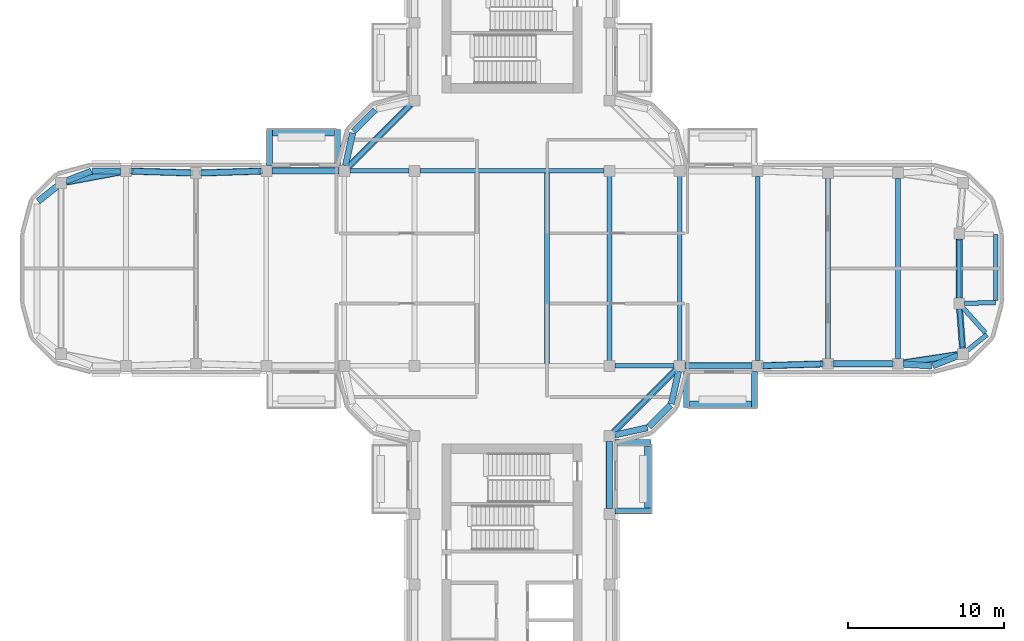
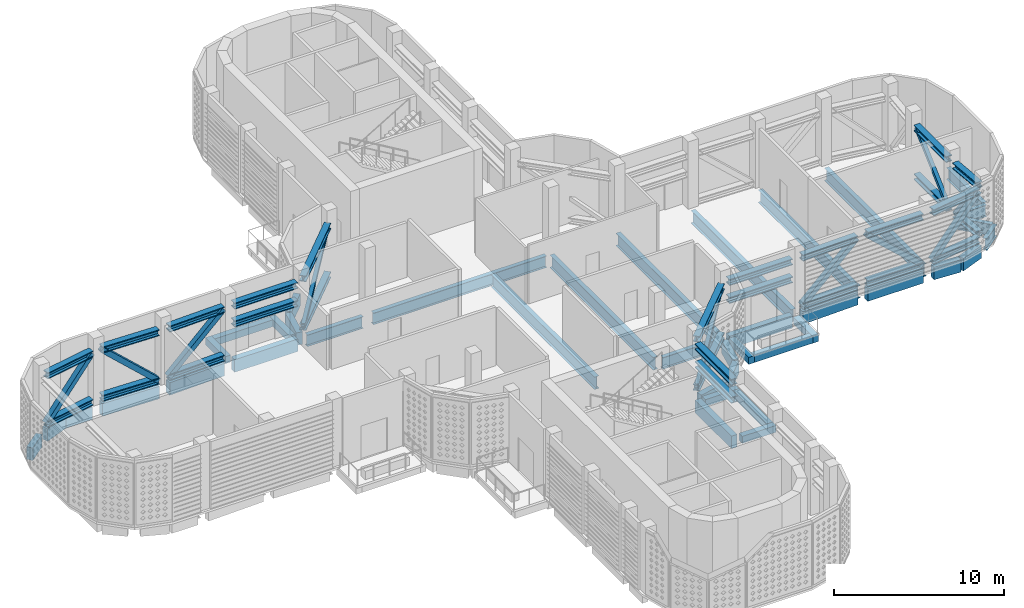
# One storey, part 2 of 20: 39 beams, 36 members.
"""IFC4 building model written with IfcOpenShell, lengths in metres."""

from ifc_helpers import new_model, si_unit, direction, frame, origin, origin_2d, place, context, subcontext, project, spatial, rectangle, hollow_rectangle, i_section, extrude, material, material_profile, profile_set, type_object, element, save


model = new_model("IFC4")

# Units and contexts
model_context = context("Model", 3, precision=1e-05, world=origin(), true_north=direction((0.0, 1.0)))
body_context = subcontext(model_context, "Body", "Model", "MODEL_VIEW")
ifc_project = project(units=[si_unit("LENGTHUNIT", "METRE"), si_unit("AREAUNIT", "SQUARE_METRE"), si_unit("VOLUMEUNIT", "CUBIC_METRE"), si_unit("PLANEANGLEUNIT", "RADIAN"), si_unit("MASSUNIT", "GRAM", prefix="KILO")], contexts=[model_context])

# Site, building, storey
site_placement = place(None, origin())
site = spatial("IfcSite", under=ifc_project, at=site_placement, CompositionType="ELEMENT")
building_placement = place(site_placement, origin())
building = spatial("IfcBuilding", under=site, at=building_placement, Name="Zarbagh Exchange Tower", CompositionType="ELEMENT")
storey_placement = place(building_placement, frame((0.0, 0.0, 244.800048828125)))
storey = spatial("IfcBuildingStorey", under=building, at=storey_placement, Name="L60", CompositionType="ELEMENT", Elevation=244.800048828125)

# Members
ifc_material_1 = material(Name="Steel ASTM A992 Gr 50", Category="steel")
ifc_material_profile_1 = material_profile(ifc_material_1, i_section(OverallWidth=0.408935546875, OverallDepth=0.42431640625, WebThickness=0.03271484375, FlangeThickness=0.052490234375, at=origin_2d()), Name="W14X283")
ifc_profile_set_1 = profile_set([ifc_material_profile_1], Name="Steel ASTM A992 Gr 50")
member_type_1 = type_object("IfcMemberType", Name="Belt truss chord W14X283", PredefinedType="CHORD", material=ifc_profile_set_1)
for number, where, z_axis, x_axis, name in (
    (1, (-10.50244140625, 6.49755859375, 0.212158203125), (0.707106781187, 0.707106781187, 0.0), (-0.707106781187, 0.707106781187, 0.0), "Belt truss chord"),
    (2, (-10.50244140625, 6.49755859375, 3.7177734375), (0.707106781187, 0.707106781187, 0.0), (-0.707106781187, 0.707106781187, 0.0), "Belt truss chord"),
):
    element("IfcMember", number, at=place(storey_placement, frame(where, z_axis=z_axis, x_axis=x_axis)), inside=storey, type_object=member_type_1, Name=name, PredefinedType="CHORD", context=body_context, shape_type="SweptSolid", body=[
        extrude(i_section(OverallWidth=0.408935546875, OverallDepth=0.42431640625, WebThickness=0.03271484375, FlangeThickness=0.052490234375, at=origin_2d()), origin(), (0.0, 0.0, 1.0), 5.663818359375),
    ])
for number, where, z_axis, x_axis, name in (
    (3, (28.669921875, 1.89990234375, 0.212158203125), (0.0, -1.0, 0.0), (1.0, 0.0, 0.0), "Belt truss chord"),
    (4, (28.669921875, 1.89990234375, 3.7177734375), (0.0, -1.0, 0.0), (1.0, 0.0, 0.0), "Belt truss chord"),
):
    element("IfcMember", number, at=place(storey_placement, frame(where, z_axis=z_axis, x_axis=x_axis)), inside=storey, type_object=member_type_1, Name=name, PredefinedType="CHORD", context=body_context, shape_type="SweptSolid", body=[
        extrude(i_section(OverallWidth=0.408935546875, OverallDepth=0.42431640625, WebThickness=0.03271484375, FlangeThickness=0.052490234375, at=origin_2d()), origin(), (0.0, 0.0, 1.0), 3.7998046875),
    ])
for number, where, z_axis, x_axis, name in (
    (5, (28.69580078125, -2.59912109375, 0.212158203125), (0.073520300379, -0.997293720742, 0.0), (0.997293720742, 0.073520300379, 0.0), "Belt truss chord"),
    (6, (28.69580078125, -2.59912109375, 3.7177734375), (0.073520300379, -0.997293720742, 0.0), (0.997293720742, 0.073520300379, 0.0), "Belt truss chord"),
):
    element("IfcMember", number, at=place(storey_placement, frame(where, z_axis=z_axis, x_axis=x_axis)), inside=storey, type_object=member_type_1, Name=name, PredefinedType="CHORD", context=body_context, shape_type="SweptSolid", body=[
        extrude(i_section(OverallWidth=0.408935546875, OverallDepth=0.42431640625, WebThickness=0.03271484375, FlangeThickness=0.052490234375, at=origin_2d()), origin(), (0.0, 0.0, 1.0), 2.53369140625),
    ])
for number, where, z_axis, x_axis, name in (
    (7, (10.50244140625, -6.49755859375, 0.212158203125), (-0.707106781187, -0.707106781187, 0.0), (0.707106781187, -0.707106781187, 0.0), "Belt truss chord"),
    (8, (10.50244140625, -6.49755859375, 3.7177734375), (-0.707106781187, -0.707106781187, 0.0), (0.707106781187, -0.707106781187, 0.0), "Belt truss chord"),
):
    element("IfcMember", number, at=place(storey_placement, frame(where, z_axis=z_axis, x_axis=x_axis)), inside=storey, type_object=member_type_1, Name=name, PredefinedType="CHORD", context=body_context, shape_type="SweptSolid", body=[
        extrude(i_section(OverallWidth=0.408935546875, OverallDepth=0.42431640625, WebThickness=0.03271484375, FlangeThickness=0.052490234375, at=origin_2d()), origin(), (0.0, 0.0, 1.0), 5.663818359375),
    ])
ifc_material_2 = material(Name="Steel ASTM A500 Gr C", Category="steel")
ifc_material_profile_2 = material_profile(ifc_material_2, hollow_rectangle(XDim=0.25390625, YDim=0.25390625, WallThickness=0.01171875, at=origin_2d()), Name="HSS10X10X1/2")
ifc_profile_set_2 = profile_set([ifc_material_profile_2], Name="Steel ASTM A500 Gr C")
member_type_2 = type_object("IfcMemberType", Name="Belt truss diagonal HSS10X10X1/2", PredefinedType="BRACE", material=ifc_profile_set_2)
member_1_placement = place(storey_placement, frame((-10.50244140625, 6.49755859375, 0.212158203125), z_axis=(0.6012530335, 0.6012530335, 0.52629799488), x_axis=(-0.707106781187, 0.707106781187, 0.0)))
element("IfcMember", 9, at=member_1_placement, inside=storey, type_object=member_type_2, Name="Belt truss diagonal", PredefinedType="BRACE", context=body_context, shape_type="SweptSolid", body=[
    extrude(hollow_rectangle(XDim=0.25390625, YDim=0.25390625, WallThickness=0.01171875, at=origin_2d()), origin(), (0.0, 0.0, 1.0), 6.660888671875),
])
member_2_placement = place(storey_placement, frame((28.669921875, -1.89990234375, 0.212158203125), z_axis=(0.0, 0.734986276904, 0.678081980857), x_axis=(-1.0, 0.0, 0.0)))
element("IfcMember", 10, at=member_2_placement, inside=storey, type_object=member_type_2, Name="Belt truss diagonal", PredefinedType="BRACE", context=body_context, shape_type="SweptSolid", body=[
    extrude(hollow_rectangle(XDim=0.25390625, YDim=0.25390625, WallThickness=0.01171875, at=origin_2d()), origin(), (0.0, 0.0, 1.0), 5.169921875),
])
member_3_placement = place(storey_placement, frame((28.69580078125, -2.59912109375, 0.212158203125), z_axis=(0.043066430408, -0.584190766342, 0.810472967527), x_axis=(0.997293720742, 0.073520300379, 0.0)))
element("IfcMember", 11, at=member_3_placement, inside=storey, type_object=member_type_2, Name="Belt truss diagonal", PredefinedType="BRACE", context=body_context, shape_type="SweptSolid", body=[
    extrude(hollow_rectangle(XDim=0.25390625, YDim=0.25390625, WallThickness=0.01171875, at=origin_2d()), origin(), (0.0, 0.0, 1.0), 4.325439453125),
])
member_4_placement = place(storey_placement, frame((6.49755859375, -10.50244140625, 0.212158203125), z_axis=(0.6012530335, 0.6012530335, 0.52629799488), x_axis=(-0.707106781187, 0.707106781187, 0.0)))
element("IfcMember", 12, at=member_4_placement, inside=storey, type_object=member_type_2, Name="Belt truss diagonal", PredefinedType="BRACE", context=body_context, shape_type="SweptSolid", body=[
    extrude(hollow_rectangle(XDim=0.25390625, YDim=0.25390625, WallThickness=0.01171875, at=origin_2d()), origin(), (0.0, 0.0, 1.0), 6.660888671875),
])

# Beams
ifc_material_profile_3 = material_profile(ifc_material_1, i_section(OverallWidth=0.3046875, OverallDepth=0.904296875, WebThickness=0.01513671875, FlangeThickness=0.02001953125, at=origin_2d()), Name="W36X135")
ifc_profile_set_3 = profile_set([ifc_material_profile_3], Name="Steel ASTM A992 Gr 50")
beam_type_1 = type_object("IfcBeamType", Name="Floor beam W36X135", PredefinedType="BEAM", material=ifc_profile_set_3)
for number, where, z_axis, x_axis, name in (
    (13, (2.25, -6.10400390625, -0.60205078125), (0.0, 1.0, 0.0), (-1.0, 0.0, 0.0), "Steel floor beam"),
    (14, (6.25, -6.10400390625, -0.60205078125), (0.0, 1.0, 0.0), (-1.0, 0.0, 0.0), "Steel floor beam"),
    (15, (10.75, -6.10400390625, -0.60205078125), (0.0, 1.0, 0.0), (-1.0, 0.0, 0.0), "Steel floor beam"),
):
    element("IfcBeam", number, at=place(storey_placement, frame(where, z_axis=z_axis, x_axis=x_axis)), inside=storey, type_object=beam_type_1, Name=name, PredefinedType="BEAM", context=body_context, shape_type="SweptSolid", body=[
        extrude(i_section(OverallWidth=0.3046875, OverallDepth=0.904296875, WebThickness=0.01513671875, FlangeThickness=0.02001953125, at=origin_2d()), origin(), (0.0, 0.0, 1.0), 12.2080078125),
    ])
beam_1_placement = place(storey_placement, frame((15.75, -5.89990234375, -0.60205078125), z_axis=(0.0, 1.0, 0.0), x_axis=(-1.0, 0.0, 0.0)))
element("IfcBeam", 16, at=beam_1_placement, inside=storey, type_object=beam_type_1, Name="Steel floor beam", PredefinedType="BEAM", context=body_context, shape_type="SweptSolid", body=[
    extrude(i_section(OverallWidth=0.3046875, OverallDepth=0.904296875, WebThickness=0.01513671875, FlangeThickness=0.02001953125, at=origin_2d()), origin(), (0.0, 0.0, 1.0), 11.7998046875),
])
for number, where, z_axis, x_axis, name in (
    (17, (20.25, -5.760009765625, -0.60205078125), (0.0, 1.0, 0.0), (-1.0, 0.0, 0.0), "Steel floor beam"),
    (18, (24.75, -5.760009765625, -0.60205078125), (0.0, 1.0, 0.0), (-1.0, 0.0, 0.0), "Steel floor beam"),
):
    element("IfcBeam", number, at=place(storey_placement, frame(where, z_axis=z_axis, x_axis=x_axis)), inside=storey, type_object=beam_type_1, Name=name, PredefinedType="BEAM", context=body_context, shape_type="SweptSolid", body=[
        extrude(i_section(OverallWidth=0.3046875, OverallDepth=0.904296875, WebThickness=0.01513671875, FlangeThickness=0.02001953125, at=origin_2d()), origin(), (0.0, 0.0, 1.0), 11.52001953125),
    ])
ifc_material_profile_4 = material_profile(ifc_material_1, i_section(OverallWidth=0.2919921875, OverallDepth=0.835693359375, WebThickness=0.013916015625, FlangeThickness=0.018798828125, at=origin_2d()), Name="W33X118")
ifc_profile_set_4 = profile_set([ifc_material_profile_4], Name="Steel ASTM A992 Gr 50")
beam_type_2 = type_object("IfcBeamType", Name="Floor girder W33X118", PredefinedType="BEAM", material=ifc_profile_set_4)
beam_2_placement = place(storey_placement, frame((31.0, 2.18408203125, -0.56787109375), z_axis=(0.0, -1.0, 0.0), x_axis=(1.0, 0.0, 0.0)))
element("IfcBeam", 19, at=beam_2_placement, inside=storey, type_object=beam_type_2, Name="Steel girder", PredefinedType="BEAM", context=body_context, shape_type="SweptSolid", body=[
    extrude(i_section(OverallWidth=0.2919921875, OverallDepth=0.835693359375, WebThickness=0.013916015625, FlangeThickness=0.018798828125, at=origin_2d()), origin(), (0.0, 0.0, 1.0), 4.226318359375),
])
beam_3_placement = place(storey_placement, frame((31.0, -2.18408203125, -0.56787109375), z_axis=(-0.999601581355, -0.028225494714, 0.0), x_axis=(0.028225494714, -0.999601581355, 0.0)))
element("IfcBeam", 20, at=beam_3_placement, inside=storey, type_object=beam_type_2, Name="Steel girder", PredefinedType="BEAM", context=body_context, shape_type="SweptSolid", body=[
    extrude(i_section(OverallWidth=0.2919921875, OverallDepth=0.835693359375, WebThickness=0.013916015625, FlangeThickness=0.018798828125, at=origin_2d()), origin(), (0.0, 0.0, 1.0), 1.980712890625),
])
beam_4_placement = place(storey_placement, frame((28.9033203125, -2.510986328125, -0.56787109375), z_axis=(0.666194955403, -0.745777635355, 0.0), x_axis=(0.745777635355, 0.666194955403, 0.0)))
element("IfcBeam", 21, at=beam_4_placement, inside=storey, type_object=beam_type_2, Name="Steel girder", PredefinedType="BEAM", context=body_context, shape_type="SweptSolid", body=[
    extrude(i_section(OverallWidth=0.2919921875, OverallDepth=0.835693359375, WebThickness=0.013916015625, FlangeThickness=0.018798828125, at=origin_2d()), origin(), (0.0, 0.0, 1.0), 2.165771484375),
])
beam_5_placement = place(storey_placement, frame((30.44873046875, -4.2412109375, -0.56787109375), z_axis=(-0.780619385558, -0.625006699877, 0.0), x_axis=(0.625006699877, -0.780619385558, 0.0)))
element("IfcBeam", 22, at=beam_5_placement, inside=storey, type_object=beam_type_2, Name="Steel girder", PredefinedType="BEAM", context=body_context, shape_type="SweptSolid", body=[
    extrude(i_section(OverallWidth=0.2919921875, OverallDepth=0.835693359375, WebThickness=0.013916015625, FlangeThickness=0.018798828125, at=origin_2d()), origin(), (0.0, 0.0, 1.0), 1.623779296875),
])
beam_6_placement = place(storey_placement, frame((-10.39990234375, 6.25, -0.56787109375), z_axis=(1.0, 0.0, 0.0), x_axis=(0.0, 1.0, 0.0)))
element("IfcBeam", 23, at=beam_6_placement, inside=storey, type_object=beam_type_2, Name="Steel girder", PredefinedType="BEAM", context=body_context, shape_type="SweptSolid", body=[
    extrude(i_section(OverallWidth=0.2919921875, OverallDepth=0.835693359375, WebThickness=0.013916015625, FlangeThickness=0.018798828125, at=origin_2d()), origin(), (0.0, 0.0, 1.0), 3.7998046875),
])
beam_7_placement = place(storey_placement, frame((-5.89990234375, 6.25, -0.56787109375), z_axis=(1.0, 0.0, 0.0), x_axis=(0.0, 1.0, 0.0)))
element("IfcBeam", 24, at=beam_7_placement, inside=storey, type_object=beam_type_2, Name="Steel girder", PredefinedType="BEAM", context=body_context, shape_type="SweptSolid", body=[
    extrude(i_section(OverallWidth=0.2919921875, OverallDepth=0.835693359375, WebThickness=0.013916015625, FlangeThickness=0.018798828125, at=origin_2d()), origin(), (0.0, 0.0, 1.0), 11.7998046875),
])
beam_8_placement = place(storey_placement, frame((6.60009765625, -6.25, -0.56787109375), z_axis=(1.0, 0.0, 0.0), x_axis=(0.0, 1.0, 0.0)))
element("IfcBeam", 25, at=beam_8_placement, inside=storey, type_object=beam_type_2, Name="Steel girder", PredefinedType="BEAM", context=body_context, shape_type="SweptSolid", body=[
    extrude(i_section(OverallWidth=0.2919921875, OverallDepth=0.835693359375, WebThickness=0.013916015625, FlangeThickness=0.018798828125, at=origin_2d()), origin(), (0.0, 0.0, 1.0), 3.7998046875),
])

# Members
ifc_material_profile_5 = material_profile(ifc_material_1, i_section(OverallWidth=0.41650390625, OverallDepth=0.444580078125, WebThickness=0.0390625, FlangeThickness=0.062744140625, at=origin_2d()), Name="W14X342")
ifc_profile_set_5 = profile_set([ifc_material_profile_5], Name="Steel ASTM A992 Gr 50")
member_type_3 = type_object("IfcMemberType", Name="Outrigger truss chord W14X342", PredefinedType="CHORD", material=ifc_profile_set_5)
for number, where, z_axis, x_axis, name in (
    (26, (-28.56396484375, 5.5390625, 0.22216796875), (0.983071280953, 0.18322351532, 0.0), (-0.18322351532, 0.983071280953, 0.0), "Outrigger truss chord"),
    (27, (-28.56396484375, 5.5390625, 3.707763671875), (0.983071280953, 0.18322351532, 0.0), (-0.18322351532, 0.983071280953, 0.0), "Outrigger truss chord"),
):
    element("IfcMember", number, at=place(storey_placement, frame(where, z_axis=z_axis, x_axis=x_axis)), inside=storey, type_object=member_type_3, Name=name, PredefinedType="CHORD", context=body_context, shape_type="SweptSolid", body=[
        extrude(i_section(OverallWidth=0.41650390625, OverallDepth=0.444580078125, WebThickness=0.0390625, FlangeThickness=0.062744140625, at=origin_2d()), origin(), (0.0, 0.0, 1.0), 3.52978515625),
    ])
for number, where, z_axis, x_axis, name in (
    (28, (-24.400146484375, 6.239013671875, 0.22216796875), (0.999516950199, -0.031078389046, 0.0), (0.031078389046, 0.999516950199, 0.0), "Outrigger truss chord"),
    (29, (-24.400146484375, 6.239013671875, 3.707763671875), (0.999516950199, -0.031078389046, 0.0), (0.031078389046, 0.999516950199, 0.0), "Outrigger truss chord"),
    (30, (-19.900146484375, 6.120849609375, 0.22216796875), (0.999516950199, 0.031078389046, 0.0), (-0.031078389046, 0.999516950199, 0.0), "Outrigger truss chord"),
    (31, (-19.900146484375, 6.120849609375, 3.707763671875), (0.999516950199, 0.031078389046, 0.0), (-0.031078389046, 0.999516950199, 0.0), "Outrigger truss chord"),
):
    element("IfcMember", number, at=place(storey_placement, frame(where, z_axis=z_axis, x_axis=x_axis)), inside=storey, type_object=member_type_3, Name=name, PredefinedType="CHORD", context=body_context, shape_type="SweptSolid", body=[
        extrude(i_section(OverallWidth=0.41650390625, OverallDepth=0.444580078125, WebThickness=0.0390625, FlangeThickness=0.062744140625, at=origin_2d()), origin(), (0.0, 0.0, 1.0), 3.80224609375),
    ])
for number, where, z_axis, x_axis, name in (
    (32, (-15.39990234375, 6.25, 2.42236328125), (1.0, 0.0, 0.0), (0.0, 1.0, 0.0), "Outrigger truss chord"),
    (33, (-15.39990234375, 6.25, 3.707763671875), (1.0, 0.0, 0.0), (0.0, 1.0, 0.0), "Outrigger truss chord"),
):
    element("IfcMember", number, at=place(storey_placement, frame(where, z_axis=z_axis, x_axis=x_axis)), inside=storey, type_object=member_type_3, Name=name, PredefinedType="CHORD", context=body_context, shape_type="SweptSolid", body=[
        extrude(i_section(OverallWidth=0.41650390625, OverallDepth=0.444580078125, WebThickness=0.0390625, FlangeThickness=0.062744140625, at=origin_2d()), origin(), (0.0, 0.0, 1.0), 4.2998046875),
    ])
for number, where, z_axis, x_axis, name in (
    (34, (28.56201171875, -5.52783203125, 0.22216796875), (-0.988540131327, -0.150958301382, 0.0), (0.150958301382, -0.988540131327, 0.0), "Outrigger truss chord"),
    (35, (28.56201171875, -5.52783203125, 3.707763671875), (-0.988540131327, -0.150958301382, 0.0), (0.150958301382, -0.988540131327, 0.0), "Outrigger truss chord"),
):
    element("IfcMember", number, at=place(storey_placement, frame(where, z_axis=z_axis, x_axis=x_axis)), inside=storey, type_object=member_type_3, Name=name, PredefinedType="CHORD", context=body_context, shape_type="SweptSolid", body=[
        extrude(i_section(OverallWidth=0.41650390625, OverallDepth=0.444580078125, WebThickness=0.0390625, FlangeThickness=0.062744140625, at=origin_2d()), origin(), (0.0, 0.0, 1.0), 3.50634765625),
    ])
for number, where, z_axis, x_axis, name in (
    (36, (24.39990234375, -6.110107421875, 0.22216796875), (-1.0, 0.0, 0.0), (0.0, -1.0, 0.0), "Outrigger truss chord"),
    (37, (24.39990234375, -6.110107421875, 3.707763671875), (-1.0, 0.0, 0.0), (0.0, -1.0, 0.0), "Outrigger truss chord"),
):
    element("IfcMember", number, at=place(storey_placement, frame(where, z_axis=z_axis, x_axis=x_axis)), inside=storey, type_object=member_type_3, Name=name, PredefinedType="CHORD", context=body_context, shape_type="SweptSolid", body=[
        extrude(i_section(OverallWidth=0.41650390625, OverallDepth=0.444580078125, WebThickness=0.0390625, FlangeThickness=0.062744140625, at=origin_2d()), origin(), (0.0, 0.0, 1.0), 3.7998046875),
    ])
for number, where, z_axis, x_axis, name in (
    (38, (19.900146484375, -6.120849609375, 0.22216796875), (-0.999516950199, -0.031078389046, 0.0), (0.031078389046, -0.999516950199, 0.0), "Outrigger truss chord"),
    (39, (19.900146484375, -6.120849609375, 3.707763671875), (-0.999516950199, -0.031078389046, 0.0), (0.031078389046, -0.999516950199, 0.0), "Outrigger truss chord"),
):
    element("IfcMember", number, at=place(storey_placement, frame(where, z_axis=z_axis, x_axis=x_axis)), inside=storey, type_object=member_type_3, Name=name, PredefinedType="CHORD", context=body_context, shape_type="SweptSolid", body=[
        extrude(i_section(OverallWidth=0.41650390625, OverallDepth=0.444580078125, WebThickness=0.0390625, FlangeThickness=0.062744140625, at=origin_2d()), origin(), (0.0, 0.0, 1.0), 3.80224609375),
    ])
for number, where, z_axis, x_axis, name in (
    (40, (15.39990234375, -6.25, 2.42236328125), (-1.0, 0.0, 0.0), (0.0, -1.0, 0.0), "Outrigger truss chord"),
    (41, (15.39990234375, -6.25, 3.707763671875), (-1.0, 0.0, 0.0), (0.0, -1.0, 0.0), "Outrigger truss chord"),
    (42, (6.25, -11.10009765625, 2.42236328125), (0.0, -1.0, 0.0), (1.0, 0.0, 0.0), "Outrigger truss chord"),
    (43, (6.25, -11.10009765625, 3.707763671875), (0.0, -1.0, 0.0), (1.0, 0.0, 0.0), "Outrigger truss chord"),
):
    element("IfcMember", number, at=place(storey_placement, frame(where, z_axis=z_axis, x_axis=x_axis)), inside=storey, type_object=member_type_3, Name=name, PredefinedType="CHORD", context=body_context, shape_type="SweptSolid", body=[
        extrude(i_section(OverallWidth=0.41650390625, OverallDepth=0.444580078125, WebThickness=0.0390625, FlangeThickness=0.062744140625, at=origin_2d()), origin(), (0.0, 0.0, 1.0), 4.2998046875),
    ])
ifc_material_profile_6 = material_profile(ifc_material_2, hollow_rectangle(XDim=0.355712890625, YDim=0.355712890625, WallThickness=0.014892578125, at=origin_2d()), Name="HSS14X14X5/8")
ifc_profile_set_6 = profile_set([ifc_material_profile_6], Name="Steel ASTM A500 Gr C")
member_type_4 = type_object("IfcMemberType", Name="Outrigger truss diagonal HSS14X14X5/8", PredefinedType="BRACE", material=ifc_profile_set_6)
member_5_placement = place(storey_placement, frame((-28.56396484375, 5.5390625, 0.22216796875), z_axis=(0.699495170927, 0.130370977822, 0.702644941625), x_axis=(-0.18322351532, 0.983071280953, 0.0)))
element("IfcMember", 44, at=member_5_placement, inside=storey, type_object=member_type_4, Name="Outrigger truss diagonal", PredefinedType="BRACE", context=body_context, shape_type="SweptSolid", body=[
    extrude(hollow_rectangle(XDim=0.355712890625, YDim=0.355712890625, WallThickness=0.014892578125, at=origin_2d()), origin(), (0.0, 0.0, 1.0), 4.960693359375),
])
for number, where, z_axis, x_axis, name in (
    (45, (-20.599853515625, 6.120849609375, 0.22216796875), (-0.736768111105, 0.022908632004, 0.675757312235), (-0.031078389046, -0.999516950199, 0.0), "Outrigger truss diagonal"),
    (46, (-19.900146484375, 6.120849609375, 0.22216796875), (0.736768111105, 0.022908632004, 0.675757312235), (-0.031078389046, 0.999516950199, 0.0), "Outrigger truss diagonal"),
):
    element("IfcMember", number, at=place(storey_placement, frame(where, z_axis=z_axis, x_axis=x_axis)), inside=storey, type_object=member_type_4, Name=name, PredefinedType="BRACE", context=body_context, shape_type="SweptSolid", body=[
        extrude(hollow_rectangle(XDim=0.355712890625, YDim=0.355712890625, WallThickness=0.014892578125, at=origin_2d()), origin(), (0.0, 0.0, 1.0), 5.157958984375),
    ])
member_6_placement = place(storey_placement, frame((25.095947265625, -6.05712890625, 0.22216796875), z_axis=(0.701064825451, 0.107058430766, 0.705015321051), x_axis=(-0.150958301382, 0.988540131327, 0.0)))
element("IfcMember", 47, at=member_6_placement, inside=storey, type_object=member_type_4, Name="Outrigger truss diagonal", PredefinedType="BRACE", context=body_context, shape_type="SweptSolid", body=[
    extrude(hollow_rectangle(XDim=0.355712890625, YDim=0.355712890625, WallThickness=0.014892578125, at=origin_2d()), origin(), (0.0, 0.0, 1.0), 4.944091796875),
])
member_7_placement = place(storey_placement, frame((24.39990234375, -6.110107421875, 0.22216796875), z_axis=(-0.736918250587, 0.0, 0.675981872502), x_axis=(0.0, -1.0, 0.0)))
element("IfcMember", 48, at=member_7_placement, inside=storey, type_object=member_type_4, Name="Outrigger truss diagonal", PredefinedType="BRACE", context=body_context, shape_type="SweptSolid", body=[
    extrude(hollow_rectangle(XDim=0.355712890625, YDim=0.355712890625, WallThickness=0.014892578125, at=origin_2d()), origin(), (0.0, 0.0, 1.0), 5.15625),
])
member_8_placement = place(storey_placement, frame((16.099853515625, -6.239013671875, 0.22216796875), z_axis=(0.736768111105, 0.022908632004, 0.675757312235), x_axis=(-0.031078389046, 0.999516950199, 0.0)))
element("IfcMember", 49, at=member_8_placement, inside=storey, type_object=member_type_4, Name="Outrigger truss diagonal", PredefinedType="BRACE", context=body_context, shape_type="SweptSolid", body=[
    extrude(hollow_rectangle(XDim=0.355712890625, YDim=0.355712890625, WallThickness=0.014892578125, at=origin_2d()), origin(), (0.0, 0.0, 1.0), 5.157958984375),
])

# Beams
ifc_material_3 = material(Name="Concrete C40/50", Category="concrete")
ifc_material_profile_7 = material_profile(ifc_material_3, rectangle(XDim=0.39990234375, YDim=0.5, at=origin_2d()), Name="RC bay edge beam 400 x 500 C40/50")
ifc_profile_set_7 = profile_set([ifc_material_profile_7], Name="Concrete C40/50")
beam_type_3 = type_object("IfcBeamType", Name="RC bay edge beam 400 x 500 C40/50", PredefinedType="BEAM", material=ifc_profile_set_7)
for number, where, z_axis, x_axis, name in (
    (50, (8.699951171875, -15.35009765625, -0.400146484375), (0.0, 1.0, 0.0), (-1.0, 0.0, 0.0), "RC bay edge beam"),
    (51, (11.3798828125, -8.699951171875, -0.400146484375), (1.0, 0.0, 0.0), (0.0, 1.0, 0.0), "RC bay edge beam"),
    (52, (-15.35009765625, 8.699951171875, -0.400146484375), (1.0, 0.0, 0.0), (0.0, 1.0, 0.0), "RC bay edge beam"),
):
    element("IfcBeam", number, at=place(storey_placement, frame(where, z_axis=z_axis, x_axis=x_axis)), inside=storey, type_object=beam_type_3, Name=name, PredefinedType="BEAM", context=body_context, shape_type="SweptSolid", body=[
        extrude(rectangle(XDim=0.39990234375, YDim=0.5, at=origin_2d()), origin(), (0.0, 0.0, 1.0), 3.97021484375),
    ])
ifc_material_profile_8 = material_profile(ifc_material_3, rectangle(XDim=0.39990234375, YDim=0.5, at=origin_2d()), Name="RC cantilever beam 400 x 500 C40/50")
ifc_profile_set_8 = profile_set([ifc_material_profile_8], Name="Concrete C40/50")
beam_type_4 = type_object("IfcBeamType", Name="RC cantilever beam 400 x 500 C40/50", PredefinedType="BEAM", material=ifc_profile_set_8)
for number, where, z_axis, x_axis, name in (
    (53, (6.60009765625, -15.550048828125, -0.400146484375), (1.0, 0.0, 0.0), (0.0, 1.0, 0.0), "RC cantilever beam"),
    (54, (6.60009765625, -11.179931640625, -0.400146484375), (1.0, 0.0, 0.0), (0.0, 1.0, 0.0), "RC cantilever beam"),
    (55, (11.179931640625, -6.60009765625, -0.400146484375), (0.0, -1.0, 0.0), (1.0, 0.0, 0.0), "RC cantilever beam"),
    (56, (15.550048828125, -6.60009765625, -0.400146484375), (0.0, -1.0, 0.0), (1.0, 0.0, 0.0), "RC cantilever beam"),
    (57, (-15.550048828125, 6.60009765625, -0.400146484375), (0.0, 1.0, 0.0), (-1.0, 0.0, 0.0), "RC cantilever beam"),
    (58, (-11.179931640625, 6.60009765625, -0.400146484375), (0.0, 1.0, 0.0), (-1.0, 0.0, 0.0), "RC cantilever beam"),
):
    element("IfcBeam", number, at=place(storey_placement, frame(where, z_axis=z_axis, x_axis=x_axis)), inside=storey, type_object=beam_type_4, Name=name, PredefinedType="BEAM", context=body_context, shape_type="SweptSolid", body=[
        extrude(rectangle(XDim=0.39990234375, YDim=0.5, at=origin_2d()), origin(), (0.0, 0.0, 1.0), 2.2998046875),
    ])
ifc_material_4 = material(Name="Concrete C50/60", Category="concrete")
ifc_material_profile_9 = material_profile(ifc_material_4, rectangle(XDim=0.39990234375, YDim=0.89990234375, at=origin_2d()), Name="RC spandrel beam 400 x 900 C50/60")
ifc_profile_set_9 = profile_set([ifc_material_profile_9], Name="Concrete C50/60")
beam_type_5 = type_object("IfcBeamType", Name="RC spandrel beam 400 x 900 C50/60", PredefinedType="SPANDREL", material=ifc_profile_set_9)
beam_9_placement = place(storey_placement, frame((-30.373779296875, 4.30126953125, -0.60009765625), z_axis=(0.780634897504, 0.62498732531, 0.0), x_axis=(-0.62498732531, 0.780634897504, 0.0)))
element("IfcBeam", 59, at=beam_9_placement, inside=storey, type_object=beam_type_5, Name="RC spandrel beam", PredefinedType="SPANDREL", context=body_context, shape_type="SweptSolid", body=[
    extrude(rectangle(XDim=0.39990234375, YDim=0.89990234375, at=origin_2d()), origin(), (0.0, 0.0, 1.0), 1.52783203125),
])
beam_10_placement = place(storey_placement, frame((-28.582275390625, 5.602783203125, -0.60009765625), z_axis=(0.930809711446, 0.365504146457, 0.0), x_axis=(-0.365504146457, 0.930809711446, 0.0)))
element("IfcBeam", 60, at=beam_10_placement, inside=storey, type_object=beam_type_5, Name="RC spandrel beam", PredefinedType="SPANDREL", context=body_context, shape_type="SweptSolid", body=[
    extrude(rectangle(XDim=0.39990234375, YDim=0.89990234375, at=origin_2d()), origin(), (0.0, 0.0, 1.0), 1.732666015625),
])
beam_11_placement = place(storey_placement, frame((-26.896240234375, 6.25, -0.60009765625), z_axis=(1.0, 0.0, 0.0), x_axis=(0.0, 1.0, 0.0)))
element("IfcBeam", 61, at=beam_11_placement, inside=storey, type_object=beam_type_5, Name="RC spandrel beam", PredefinedType="SPANDREL", context=body_context, shape_type="SweptSolid", body=[
    extrude(rectangle(XDim=0.39990234375, YDim=0.89990234375, at=origin_2d()), origin(), (0.0, 0.0, 1.0), 1.796142578125),
])
for number, where, z_axis, x_axis, name in (
    (62, (-24.400146484375, 6.239013671875, -0.60009765625), (0.999516950199, -0.031078389046, 0.0), (0.031078389046, 0.999516950199, 0.0), "RC spandrel beam"),
    (63, (-19.900146484375, 6.120849609375, -0.60009765625), (0.999516950199, 0.031078389046, 0.0), (-0.031078389046, 0.999516950199, 0.0), "RC spandrel beam"),
):
    element("IfcBeam", number, at=place(storey_placement, frame(where, z_axis=z_axis, x_axis=x_axis)), inside=storey, type_object=beam_type_5, Name=name, PredefinedType="SPANDREL", context=body_context, shape_type="SweptSolid", body=[
        extrude(rectangle(XDim=0.39990234375, YDim=0.89990234375, at=origin_2d()), origin(), (0.0, 0.0, 1.0), 3.80224609375),
    ])
beam_12_placement = place(storey_placement, frame((-15.39990234375, 6.25, -0.60009765625), z_axis=(1.0, 0.0, 0.0), x_axis=(0.0, 1.0, 0.0)))
element("IfcBeam", 64, at=beam_12_placement, inside=storey, type_object=beam_type_5, Name="RC spandrel beam", PredefinedType="SPANDREL", context=body_context, shape_type="SweptSolid", body=[
    extrude(rectangle(XDim=0.39990234375, YDim=0.89990234375, at=origin_2d()), origin(), (0.0, 0.0, 1.0), 4.2998046875),
])
beam_13_placement = place(storey_placement, frame((-10.67431640625, 6.591796875, -0.60009765625), z_axis=(0.216013551096, 0.97639036545, 0.0), x_axis=(-0.97639036545, 0.216013551096, 0.0)))
element("IfcBeam", 65, at=beam_13_placement, inside=storey, type_object=beam_type_5, Name="RC spandrel beam", PredefinedType="SPANDREL", context=body_context, shape_type="SweptSolid", body=[
    extrude(rectangle(XDim=0.39990234375, YDim=0.89990234375, at=origin_2d()), origin(), (0.0, 0.0, 1.0), 2.142822265625),
])
beam_14_placement = place(storey_placement, frame((-10.15771484375, 8.782470703125, -0.60009765625), z_axis=(0.707106781187, 0.707106781187, 0.0), x_axis=(-0.707106781187, 0.707106781187, 0.0)))
element("IfcBeam", 66, at=beam_14_placement, inside=storey, type_object=beam_type_5, Name="RC spandrel beam", PredefinedType="SPANDREL", context=body_context, shape_type="SweptSolid", body=[
    extrude(rectangle(XDim=0.39990234375, YDim=0.89990234375, at=origin_2d()), origin(), (0.0, 0.0, 1.0), 1.94482421875),
])
beam_15_placement = place(storey_placement, frame((28.582275390625, -5.602783203125, -0.60009765625), z_axis=(-0.930818525178, -0.365481700207, 0.0), x_axis=(0.365481700207, -0.930818525178, 0.0)))
element("IfcBeam", 67, at=beam_15_placement, inside=storey, type_object=beam_type_5, Name="RC spandrel beam", PredefinedType="SPANDREL", context=body_context, shape_type="SweptSolid", body=[
    extrude(rectangle(XDim=0.39990234375, YDim=0.89990234375, at=origin_2d()), origin(), (0.0, 0.0, 1.0), 1.72607421875),
])
beam_16_placement = place(storey_placement, frame((26.8896484375, -6.247314453125, -0.60009765625), z_axis=(-0.997943601797, 0.064098109429, 0.0), x_axis=(-0.064098109429, -0.997943601797, 0.0)))
element("IfcBeam", 68, at=beam_16_placement, inside=storey, type_object=beam_type_5, Name="RC spandrel beam", PredefinedType="SPANDREL", context=body_context, shape_type="SweptSolid", body=[
    extrude(rectangle(XDim=0.39990234375, YDim=0.89990234375, at=origin_2d()), origin(), (0.0, 0.0, 1.0), 1.7939453125),
])
beam_17_placement = place(storey_placement, frame((24.39990234375, -6.110107421875, -0.60009765625), z_axis=(-1.0, 0.0, 0.0), x_axis=(0.0, -1.0, 0.0)))
element("IfcBeam", 69, at=beam_17_placement, inside=storey, type_object=beam_type_5, Name="RC spandrel beam", PredefinedType="SPANDREL", context=body_context, shape_type="SweptSolid", body=[
    extrude(rectangle(XDim=0.39990234375, YDim=0.89990234375, at=origin_2d()), origin(), (0.0, 0.0, 1.0), 3.7998046875),
])
beam_18_placement = place(storey_placement, frame((19.900146484375, -6.120849609375, -0.60009765625), z_axis=(-0.999516950199, -0.031078389046, 0.0), x_axis=(0.031078389046, -0.999516950199, 0.0)))
element("IfcBeam", 70, at=beam_18_placement, inside=storey, type_object=beam_type_5, Name="RC spandrel beam", PredefinedType="SPANDREL", context=body_context, shape_type="SweptSolid", body=[
    extrude(rectangle(XDim=0.39990234375, YDim=0.89990234375, at=origin_2d()), origin(), (0.0, 0.0, 1.0), 3.80224609375),
])
beam_19_placement = place(storey_placement, frame((15.39990234375, -6.25, -0.60009765625), z_axis=(-1.0, 0.0, 0.0), x_axis=(0.0, -1.0, 0.0)))
element("IfcBeam", 71, at=beam_19_placement, inside=storey, type_object=beam_type_5, Name="RC spandrel beam", PredefinedType="SPANDREL", context=body_context, shape_type="SweptSolid", body=[
    extrude(rectangle(XDim=0.39990234375, YDim=0.89990234375, at=origin_2d()), origin(), (0.0, 0.0, 1.0), 4.2998046875),
])
beam_20_placement = place(storey_placement, frame((10.67431640625, -6.591796875, -0.60009765625), z_axis=(-0.216013551096, -0.97639036545, 0.0), x_axis=(0.97639036545, -0.216013551096, 0.0)))
element("IfcBeam", 72, at=beam_20_placement, inside=storey, type_object=beam_type_5, Name="RC spandrel beam", PredefinedType="SPANDREL", context=body_context, shape_type="SweptSolid", body=[
    extrude(rectangle(XDim=0.39990234375, YDim=0.89990234375, at=origin_2d()), origin(), (0.0, 0.0, 1.0), 2.142822265625),
])
beam_21_placement = place(storey_placement, frame((10.15771484375, -8.782470703125, -0.60009765625), z_axis=(-0.707106781187, -0.707106781187, 0.0), x_axis=(0.707106781187, -0.707106781187, 0.0)))
element("IfcBeam", 73, at=beam_21_placement, inside=storey, type_object=beam_type_5, Name="RC spandrel beam", PredefinedType="SPANDREL", context=body_context, shape_type="SweptSolid", body=[
    extrude(rectangle(XDim=0.39990234375, YDim=0.89990234375, at=origin_2d()), origin(), (0.0, 0.0, 1.0), 1.94482421875),
])
beam_22_placement = place(storey_placement, frame((8.68408203125, -10.21142578125, -0.60009765625), z_axis=(-0.97639036545, -0.216013551096, 0.0), x_axis=(0.216013551096, -0.97639036545, 0.0)))
element("IfcBeam", 74, at=beam_22_placement, inside=storey, type_object=beam_type_5, Name="RC spandrel beam", PredefinedType="SPANDREL", context=body_context, shape_type="SweptSolid", body=[
    extrude(rectangle(XDim=0.39990234375, YDim=0.89990234375, at=origin_2d()), origin(), (0.0, 0.0, 1.0), 2.142822265625),
])
beam_23_placement = place(storey_placement, frame((6.25, -11.10009765625, -0.60009765625), z_axis=(0.0, -1.0, 0.0), x_axis=(1.0, 0.0, 0.0)))
element("IfcBeam", 75, at=beam_23_placement, inside=storey, type_object=beam_type_5, Name="RC spandrel beam", PredefinedType="SPANDREL", context=body_context, shape_type="SweptSolid", body=[
    extrude(rectangle(XDim=0.39990234375, YDim=0.89990234375, at=origin_2d()), origin(), (0.0, 0.0, 1.0), 4.2998046875),
])

save(model, "model.ifc")
